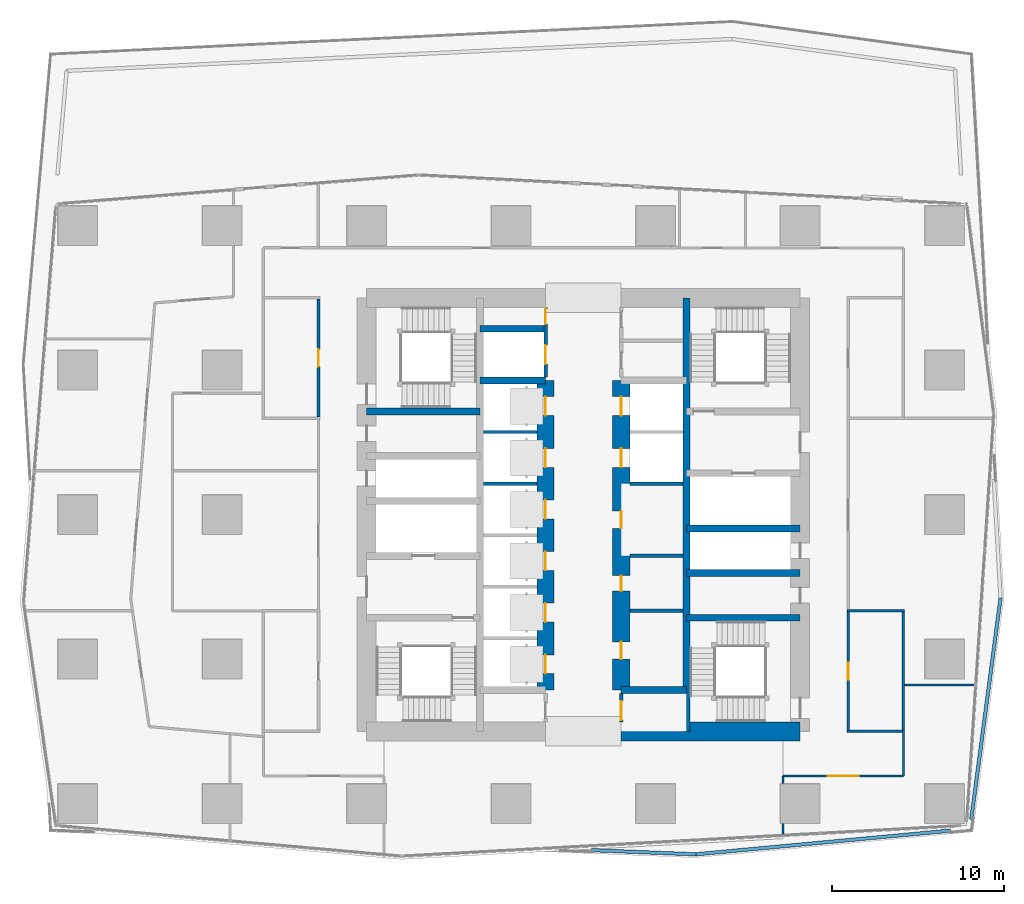
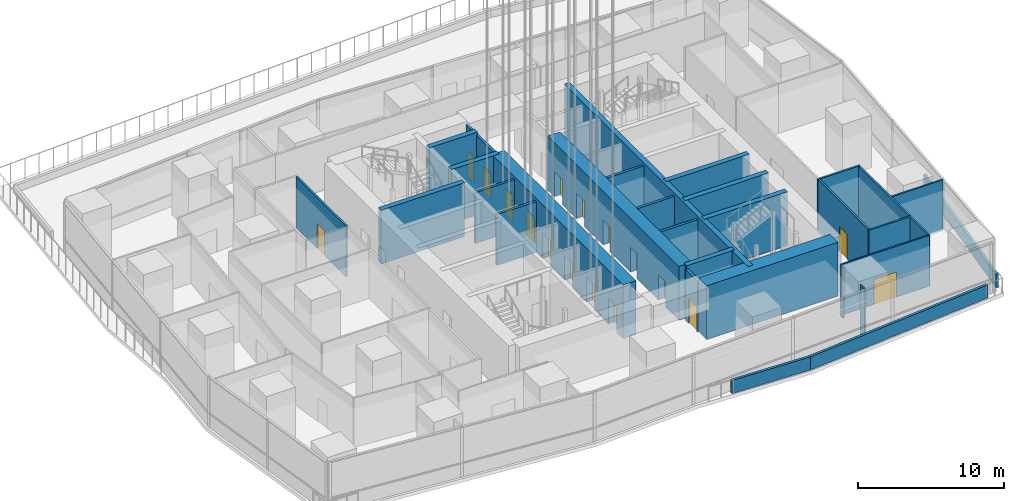
# One storey, part 16 of 39: 31 walls, 17 doors, 17 openings.
"""IFC4 building model written with IfcOpenShell, lengths in metres."""

from ifc_helpers import new_model, si_unit, direction, frame, frame_2d, origin, place, context, subcontext, project, spatial, rectangle, extrude, material, layer, layer_set, type_object, element, fill, save


model = new_model("IFC4")

# Units and contexts
model_context = context("Model", 3, precision=1e-05, world=origin(), true_north=direction((0.0, 1.0)))
body_context = subcontext(model_context, "Body", "Model", "MODEL_VIEW")
ifc_project = project(units=[si_unit("LENGTHUNIT", "METRE"), si_unit("AREAUNIT", "SQUARE_METRE"), si_unit("VOLUMEUNIT", "CUBIC_METRE"), si_unit("PLANEANGLEUNIT", "RADIAN"), si_unit("MASSUNIT", "GRAM", prefix="KILO")], contexts=[model_context])

# Site, building, storey
site_placement = place(None, origin())
site = spatial("IfcSite", under=ifc_project, at=site_placement, CompositionType="ELEMENT")
building_placement = place(site_placement, origin())
building = spatial("IfcBuilding", under=site, at=building_placement, Name="Rekha Terrace Tower", CompositionType="ELEMENT")
storey_placement = place(building_placement, frame((0.0, 0.0, 245.60009765625)))
storey = spatial("IfcBuildingStorey", under=building, at=storey_placement, Name="L62", CompositionType="ELEMENT", Elevation=245.60009765625)

# Walls
ifc_material_1 = material(Name="Concrete M60", Category="concrete")
ifc_layer_1 = layer(ifc_material_1, 0.39990234375)
ifc_layer_set_1 = layer_set([ifc_layer_1], Name="Concrete M60")
wall_type_1 = type_object("IfcWallType", Name="CI4 400 core internal shear wall", PredefinedType="SHEAR", material=ifc_layer_set_1)
wall_1_placement = place(storey_placement, frame((43.800048828125, 21.0, 0.0), z_axis=(0.0, 0.0, 1.0), x_axis=(0.0, 1.0, 0.0)))
element("IfcWall", 1, at=wall_1_placement, inside=storey, type_object=wall_type_1, Name="Core wall X438 L62", PredefinedType="SHEAR", context=body_context, shape_type="SweptSolid", body=[
    extrude(rectangle(XDim=25.199951171875, YDim=0.39990234375, at=frame_2d((12.60009765625, 0.0))), origin(), (0.0, 0.0, 1.0), 4.5),
])
for number, where, z_axis, x_axis, name in (
    (2, (31.800048828125, 41.39990234375, 0.0), (0.0, 0.0, 1.0), (1.0, 0.0, 0.0), "Core wall Y414W L62"),
    (3, (31.800048828125, 44.39990234375, 0.0), (0.0, 0.0, 1.0), (1.0, 0.0, 0.0), "Core wall Y444W L62"),
    (4, (40.0, 23.39990234375, 0.0), (0.0, 0.0, 1.0), (1.0, 0.0, 0.0), "Core wall Y234E L62"),
):
    element("IfcWall", number, at=place(storey_placement, frame(where, z_axis=z_axis, x_axis=x_axis)), inside=storey, type_object=wall_type_1, Name=name, PredefinedType="SHEAR", context=body_context, shape_type="SweptSolid", body=[
        extrude(rectangle(XDim=3.800048828125, YDim=0.39990234375, at=frame_2d((1.89990234375, 0.0))), origin(), (0.0, 0.0, 1.0), 4.5),
    ])
wall_2_placement = place(storey_placement, frame((25.199951171875, 39.60009765625, 0.0), z_axis=(0.0, 0.0, 1.0), x_axis=(1.0, 0.0, 0.0)))
element("IfcWall", 5, at=wall_2_placement, inside=storey, type_object=wall_type_1, Name="Core wall Y396W L62", PredefinedType="SHEAR", context=body_context, shape_type="SweptSolid", body=[
    extrude(rectangle(XDim=6.60009765625, YDim=0.39990234375, at=frame_2d((3.300048828125, 0.0))), origin(), (0.0, 0.0, 1.0), 4.5),
])
for number, where, z_axis, x_axis, name in (
    (6, (43.800048828125, 27.60009765625, 0.0), (0.0, 0.0, 1.0), (1.0, 0.0, 0.0), "Core wall Y276E L62"),
    (7, (43.800048828125, 30.199951171875, 0.0), (0.0, 0.0, 1.0), (1.0, 0.0, 0.0), "Core wall Y302E L62"),
    (8, (43.800048828125, 32.800048828125, 0.0), (0.0, 0.0, 1.0), (1.0, 0.0, 0.0), "Core wall Y328E L62"),
):
    element("IfcWall", number, at=place(storey_placement, frame(where, z_axis=z_axis, x_axis=x_axis)), inside=storey, type_object=wall_type_1, Name=name, PredefinedType="SHEAR", context=body_context, shape_type="SweptSolid", body=[
        extrude(rectangle(XDim=6.599853515625, YDim=0.39990234375, at=frame_2d((3.2998046875, 0.0))), origin(), (0.0, 0.0, 1.0), 4.5),
    ])

# Wall, openings, doors
ifc_layer_2 = layer(ifc_material_1, 1.0)
ifc_layer_set_2 = layer_set([ifc_layer_2], Name="Concrete M60")
wall_type_2 = type_object("IfcWallType", Name="LW4 1000 core lobby wall at an outrigger level", PredefinedType="SHEAR", material=ifc_layer_set_2)
wall_3_placement = place(storey_placement, frame((35.60009765625, 23.39990234375, 0.0), z_axis=(0.0, 0.0, 1.0), x_axis=(0.0, 1.0, 0.0)))
wall_3 = element("IfcWall", 9, at=wall_3_placement, inside=storey, type_object=wall_type_2, Name="Core wall X356 L62", PredefinedType="SHEAR", context=body_context, shape_type="SweptSolid", body=[
    extrude(rectangle(XDim=18.0, YDim=1.0, at=frame_2d((9.0, 0.0))), origin(), (0.0, 0.0, 1.0), 4.5),
])
opening_1_placement = place(wall_3_placement, frame((0.949951171875, 0.0, 0.0)))
opening_1 = element("IfcOpeningElement", 10, at=opening_1_placement, cuts=wall_3, Name="Opening LD1", PredefinedType="OPENING", context=body_context, shape_type="SweptSolid", body=[
    extrude(rectangle(XDim=1.10009765625, YDim=2.10009765625, at=frame_2d((0.550048828125, 1.050048828125))), frame((0.0, 0.510009765625, 0.0), z_axis=(0.0, -1.0, 0.0), x_axis=(1.0, 0.0, 0.0)), (0.0, 0.0, 1.0), 1.02001953125),
])
opening_2_placement = place(wall_3_placement, frame((3.949951171875, 0.0, 0.0)))
opening_2 = element("IfcOpeningElement", 11, at=opening_2_placement, cuts=wall_3, Name="Opening LD1", PredefinedType="OPENING", context=body_context, shape_type="SweptSolid", body=[
    extrude(rectangle(XDim=1.10009765625, YDim=2.10009765625, at=frame_2d((0.550048828125, 1.050048828125))), frame((0.0, 0.510009765625, 0.0), z_axis=(0.0, -1.0, 0.0), x_axis=(1.0, 0.0, 0.0)), (0.0, 0.0, 1.0), 1.02001953125),
])
opening_3_placement = place(wall_3_placement, frame((6.949951171875, 0.0, 0.0)))
opening_3 = element("IfcOpeningElement", 12, at=opening_3_placement, cuts=wall_3, Name="Opening LD1", PredefinedType="OPENING", context=body_context, shape_type="SweptSolid", body=[
    extrude(rectangle(XDim=1.10009765625, YDim=2.10009765625, at=frame_2d((0.550048828125, 1.050048828125))), frame((0.0, 0.510009765625, 0.0), z_axis=(0.0, -1.0, 0.0), x_axis=(1.0, 0.0, 0.0)), (0.0, 0.0, 1.0), 1.02001953125),
])
opening_4_placement = place(wall_3_placement, frame((9.949951171875, 0.0, 0.0)))
opening_4 = element("IfcOpeningElement", 13, at=opening_4_placement, cuts=wall_3, Name="Opening LD1", PredefinedType="OPENING", context=body_context, shape_type="SweptSolid", body=[
    extrude(rectangle(XDim=1.10009765625, YDim=2.10009765625, at=frame_2d((0.550048828125, 1.050048828125))), frame((0.0, 0.510009765625, 0.0), z_axis=(0.0, -1.0, 0.0), x_axis=(1.0, 0.0, 0.0)), (0.0, 0.0, 1.0), 1.02001953125),
])
opening_5_placement = place(wall_3_placement, frame((12.949951171875, 0.0, 0.0)))
opening_5 = element("IfcOpeningElement", 14, at=opening_5_placement, cuts=wall_3, Name="Opening LD1", PredefinedType="OPENING", context=body_context, shape_type="SweptSolid", body=[
    extrude(rectangle(XDim=1.10009765625, YDim=2.10009765625, at=frame_2d((0.550048828125, 1.050048828125))), frame((0.0, 0.510009765625, 0.0), z_axis=(0.0, -1.0, 0.0), x_axis=(1.0, 0.0, 0.0)), (0.0, 0.0, 1.0), 1.02001953125),
])
opening_6_placement = place(wall_3_placement, frame((15.949951171875, 0.0, 0.0)))
opening_6 = element("IfcOpeningElement", 15, at=opening_6_placement, cuts=wall_3, Name="Opening LD1", PredefinedType="OPENING", context=body_context, shape_type="SweptSolid", body=[
    extrude(rectangle(XDim=1.10009765625, YDim=2.10009765625, at=frame_2d((0.550048828125, 1.050048828125))), frame((0.0, 0.510009765625, 0.0), z_axis=(0.0, -1.0, 0.0), x_axis=(1.0, 0.0, 0.0)), (0.0, 0.0, 1.0), 1.02001953125),
])
ifc_material_2 = material(Name="Stainless steel sliding landing door", Category="steel")
door_type_1 = type_object("IfcDoorType", Name="LD1 1100x2100 lift landing door", OperationType="SLIDING_TO_LEFT", PredefinedType="USERDEFINED", material=ifc_material_2)
door_1_placement = place(opening_1_placement, origin())
door_1 = element("IfcDoor", 16, at=door_1_placement, inside=storey, type_object=door_type_1, Name="Lift D1 landing door L62", ObjectType="LIFT LANDING DOOR", OperationType="SLIDING_TO_LEFT", OverallHeight=2.10009765625, OverallWidth=1.10009765625, PredefinedType="USERDEFINED", context=body_context, shape_type="SweptSolid", body=[
    extrude(rectangle(XDim=1.10009765625, YDim=2.10009765625, at=frame_2d((0.550048828125, 1.050048828125))), frame((0.0, 0.02490234375, 0.0), z_axis=(0.0, -1.0, 0.0), x_axis=(1.0, 0.0, 0.0)), (0.0, 0.0, 1.0), 0.050048828125),
])
fill(opening_1, door_1)
door_2_placement = place(opening_2_placement, origin())
door_2 = element("IfcDoor", 17, at=door_2_placement, inside=storey, type_object=door_type_1, Name="Lift D2 landing door L62", ObjectType="LIFT LANDING DOOR", OperationType="SLIDING_TO_LEFT", OverallHeight=2.10009765625, OverallWidth=1.10009765625, PredefinedType="USERDEFINED", context=body_context, shape_type="SweptSolid", body=[
    extrude(rectangle(XDim=1.10009765625, YDim=2.10009765625, at=frame_2d((0.550048828125, 1.050048828125))), frame((0.0, 0.02490234375, 0.0), z_axis=(0.0, -1.0, 0.0), x_axis=(1.0, 0.0, 0.0)), (0.0, 0.0, 1.0), 0.050048828125),
])
fill(opening_2, door_2)
door_3_placement = place(opening_3_placement, origin())
door_3 = element("IfcDoor", 18, at=door_3_placement, inside=storey, type_object=door_type_1, Name="Lift D3 landing door L62", ObjectType="LIFT LANDING DOOR", OperationType="SLIDING_TO_LEFT", OverallHeight=2.10009765625, OverallWidth=1.10009765625, PredefinedType="USERDEFINED", context=body_context, shape_type="SweptSolid", body=[
    extrude(rectangle(XDim=1.10009765625, YDim=2.10009765625, at=frame_2d((0.550048828125, 1.050048828125))), frame((0.0, 0.02490234375, 0.0), z_axis=(0.0, -1.0, 0.0), x_axis=(1.0, 0.0, 0.0)), (0.0, 0.0, 1.0), 0.050048828125),
])
fill(opening_3, door_3)
door_4_placement = place(opening_4_placement, origin())
door_4 = element("IfcDoor", 19, at=door_4_placement, inside=storey, type_object=door_type_1, Name="Lift D4 landing door L62", ObjectType="LIFT LANDING DOOR", OperationType="SLIDING_TO_LEFT", OverallHeight=2.10009765625, OverallWidth=1.10009765625, PredefinedType="USERDEFINED", context=body_context, shape_type="SweptSolid", body=[
    extrude(rectangle(XDim=1.10009765625, YDim=2.10009765625, at=frame_2d((0.550048828125, 1.050048828125))), frame((0.0, 0.02490234375, 0.0), z_axis=(0.0, -1.0, 0.0), x_axis=(1.0, 0.0, 0.0)), (0.0, 0.0, 1.0), 0.050048828125),
])
fill(opening_4, door_4)
door_5_placement = place(opening_5_placement, origin())
door_5 = element("IfcDoor", 20, at=door_5_placement, inside=storey, type_object=door_type_1, Name="Lift D5 landing door L62", ObjectType="LIFT LANDING DOOR", OperationType="SLIDING_TO_LEFT", OverallHeight=2.10009765625, OverallWidth=1.10009765625, PredefinedType="USERDEFINED", context=body_context, shape_type="SweptSolid", body=[
    extrude(rectangle(XDim=1.10009765625, YDim=2.10009765625, at=frame_2d((0.550048828125, 1.050048828125))), frame((0.0, 0.02490234375, 0.0), z_axis=(0.0, -1.0, 0.0), x_axis=(1.0, 0.0, 0.0)), (0.0, 0.0, 1.0), 0.050048828125),
])
fill(opening_5, door_5)
door_6_placement = place(opening_6_placement, origin())
door_6 = element("IfcDoor", 21, at=door_6_placement, inside=storey, type_object=door_type_1, Name="Lift D6 landing door L62", ObjectType="LIFT LANDING DOOR", OperationType="SLIDING_TO_LEFT", OverallHeight=2.10009765625, OverallWidth=1.10009765625, PredefinedType="USERDEFINED", context=body_context, shape_type="SweptSolid", body=[
    extrude(rectangle(XDim=1.10009765625, YDim=2.10009765625, at=frame_2d((0.550048828125, 1.050048828125))), frame((0.0, 0.02490234375, 0.0), z_axis=(0.0, -1.0, 0.0), x_axis=(1.0, 0.0, 0.0)), (0.0, 0.0, 1.0), 0.050048828125),
])
fill(opening_6, door_6)

wall_4_placement = place(storey_placement, frame((40.0, 23.39990234375, 0.0), z_axis=(0.0, 0.0, 1.0), x_axis=(0.0, 1.0, 0.0)))
wall_4 = element("IfcWall", 22, at=wall_4_placement, inside=storey, type_object=wall_type_2, Name="Core wall X400 L62", PredefinedType="SHEAR", context=body_context, shape_type="SweptSolid", body=[
    extrude(rectangle(XDim=18.0, YDim=1.0, at=frame_2d((9.0, 0.0))), origin(), (0.0, 0.0, 1.0), 4.5),
])
opening_7_placement = place(wall_4_placement, frame((1.800048828125, 0.0, 0.0)))
opening_7 = element("IfcOpeningElement", 23, at=opening_7_placement, cuts=wall_4, Name="Opening D3", PredefinedType="OPENING", context=body_context, shape_type="SweptSolid", body=[
    extrude(rectangle(XDim=1.0, YDim=2.10009765625, at=frame_2d((0.5, 1.050048828125))), frame((0.0, 0.510009765625, 0.0), z_axis=(0.0, -1.0, 0.0), x_axis=(1.0, 0.0, 0.0)), (0.0, 0.0, 1.0), 1.02001953125),
])
opening_8_placement = place(wall_4_placement, frame((5.75, 0.0, 0.0)))
opening_8 = element("IfcOpeningElement", 24, at=opening_8_placement, cuts=wall_4, Name="Opening D5", PredefinedType="OPENING", context=body_context, shape_type="SweptSolid", body=[
    extrude(rectangle(XDim=0.89990234375, YDim=2.10009765625, at=frame_2d((0.449951171875, 1.050048828125))), frame((0.0, 0.510009765625, 0.0), z_axis=(0.0, -1.0, 0.0), x_axis=(1.0, 0.0, 0.0)), (0.0, 0.0, 1.0), 1.02001953125),
])
opening_9_placement = place(wall_4_placement, frame((9.39990234375, 0.0, 0.0)))
opening_9 = element("IfcOpeningElement", 25, at=opening_9_placement, cuts=wall_4, Name="Opening D3", PredefinedType="OPENING", context=body_context, shape_type="SweptSolid", body=[
    extrude(rectangle(XDim=1.0, YDim=2.10009765625, at=frame_2d((0.5, 1.050048828125))), frame((0.0, 0.510009765625, 0.0), z_axis=(0.0, -1.0, 0.0), x_axis=(1.0, 0.0, 0.0)), (0.0, 0.0, 1.0), 1.02001953125),
])
opening_10_placement = place(wall_4_placement, frame((12.949951171875, 0.0, 0.0)))
opening_10 = element("IfcOpeningElement", 26, at=opening_10_placement, cuts=wall_4, Name="Opening LD1", PredefinedType="OPENING", context=body_context, shape_type="SweptSolid", body=[
    extrude(rectangle(XDim=1.10009765625, YDim=2.10009765625, at=frame_2d((0.550048828125, 1.050048828125))), frame((0.0, 0.510009765625, 0.0), z_axis=(0.0, -1.0, 0.0), x_axis=(1.0, 0.0, 0.0)), (0.0, 0.0, 1.0), 1.02001953125),
])
opening_11_placement = place(wall_4_placement, frame((15.949951171875, 0.0, 0.0)))
opening_11 = element("IfcOpeningElement", 27, at=opening_11_placement, cuts=wall_4, Name="Opening LD1", PredefinedType="OPENING", context=body_context, shape_type="SweptSolid", body=[
    extrude(rectangle(XDim=1.10009765625, YDim=2.10009765625, at=frame_2d((0.550048828125, 1.050048828125))), frame((0.0, 0.510009765625, 0.0), z_axis=(0.0, -1.0, 0.0), x_axis=(1.0, 0.0, 0.0)), (0.0, 0.0, 1.0), 1.02001953125),
])
ifc_material_3 = material(Name="Laminated timber fire door", Category="wood")
door_type_2 = type_object("IfcDoorType", Name="D3 1000x2100 WC door", OperationType="SINGLE_SWING_LEFT", PredefinedType="DOOR", material=ifc_material_3)
door_7_placement = place(opening_7_placement, origin())
door_7 = element("IfcDoor", 28, at=door_7_placement, inside=storey, type_object=door_type_2, Name="Door staff wc L62", OperationType="SINGLE_SWING_LEFT", OverallHeight=2.10009765625, OverallWidth=1.0, PredefinedType="DOOR", context=body_context, shape_type="SweptSolid", body=[
    extrude(rectangle(XDim=1.0, YDim=2.10009765625, at=frame_2d((0.5, 1.050048828125))), frame((0.0, 0.02490234375, 0.0), z_axis=(0.0, -1.0, 0.0), x_axis=(1.0, 0.0, 0.0)), (0.0, 0.0, 1.0), 0.050048828125),
])
fill(opening_7, door_7)
door_8_placement = place(opening_9_placement, origin())
door_8 = element("IfcDoor", 29, at=door_8_placement, inside=storey, type_object=door_type_2, Name="Door staff wc L62", OperationType="SINGLE_SWING_LEFT", OverallHeight=2.10009765625, OverallWidth=1.0, PredefinedType="DOOR", context=body_context, shape_type="SweptSolid", body=[
    extrude(rectangle(XDim=1.0, YDim=2.10009765625, at=frame_2d((0.5, 1.050048828125))), frame((0.0, 0.02490234375, 0.0), z_axis=(0.0, -1.0, 0.0), x_axis=(1.0, 0.0, 0.0)), (0.0, 0.0, 1.0), 0.050048828125),
])
fill(opening_9, door_8)
ifc_material_4 = material(Name="Steel fire door", Category="steel")
door_type_3 = type_object("IfcDoorType", Name="D5 900x2100 riser access door", OperationType="SINGLE_SWING_LEFT", PredefinedType="DOOR", material=ifc_material_4)
door_9_placement = place(opening_8_placement, origin())
door_9 = element("IfcDoor", 30, at=door_9_placement, inside=storey, type_object=door_type_3, Name="Door records store L62", OperationType="SINGLE_SWING_LEFT", OverallHeight=2.10009765625, OverallWidth=0.89990234375, PredefinedType="DOOR", context=body_context, shape_type="SweptSolid", body=[
    extrude(rectangle(XDim=0.89990234375, YDim=2.10009765625, at=frame_2d((0.449951171875, 1.050048828125))), frame((0.0, 0.02490234375, 0.0), z_axis=(0.0, -1.0, 0.0), x_axis=(1.0, 0.0, 0.0)), (0.0, 0.0, 1.0), 0.050048828125),
])
fill(opening_8, door_9)
door_10_placement = place(opening_10_placement, origin())
door_10 = element("IfcDoor", 31, at=door_10_placement, inside=storey, type_object=door_type_1, Name="Lift SH5 landing door L62", ObjectType="LIFT LANDING DOOR", OperationType="SLIDING_TO_LEFT", OverallHeight=2.10009765625, OverallWidth=1.10009765625, PredefinedType="USERDEFINED", context=body_context, shape_type="SweptSolid", body=[
    extrude(rectangle(XDim=1.10009765625, YDim=2.10009765625, at=frame_2d((0.550048828125, 1.050048828125))), frame((0.0, 0.02490234375, 0.0), z_axis=(0.0, -1.0, 0.0), x_axis=(1.0, 0.0, 0.0)), (0.0, 0.0, 1.0), 0.050048828125),
])
fill(opening_10, door_10)
door_11_placement = place(opening_11_placement, origin())
door_11 = element("IfcDoor", 32, at=door_11_placement, inside=storey, type_object=door_type_1, Name="Lift SH6 landing door L62", ObjectType="LIFT LANDING DOOR", OperationType="SLIDING_TO_LEFT", OverallHeight=2.10009765625, OverallWidth=1.10009765625, PredefinedType="USERDEFINED", context=body_context, shape_type="SweptSolid", body=[
    extrude(rectangle(XDim=1.10009765625, YDim=2.10009765625, at=frame_2d((0.550048828125, 1.050048828125))), frame((0.0, 0.02490234375, 0.0), z_axis=(0.0, -1.0, 0.0), x_axis=(1.0, 0.0, 0.0)), (0.0, 0.0, 1.0), 0.050048828125),
])
fill(opening_11, door_11)

# Walls
ifc_material_5 = material(Name="Concrete M40", Category="concrete")
ifc_layer_3 = layer(ifc_material_5, 0.199951171875)
ifc_layer_set_3 = layer_set([ifc_layer_3], Name="Concrete M40")
wall_type_3 = type_object("IfcWallType", Name="PP1 parapet wall 200", PredefinedType="PARAPET", material=ifc_layer_set_3)
wall_5_placement = place(storey_placement, frame((38.266845703125, 14.092529296875, 0.0), z_axis=(0.0, 0.0, 1.0), x_axis=(0.999204422948, -0.03988133852, 0.0)))
element("IfcWall", 33, at=wall_5_placement, inside=storey, type_object=wall_type_3, Name="Ledge parapet", PredefinedType="PARAPET", context=body_context, shape_type="SweptSolid", body=[
    extrude(rectangle(XDim=6.07275390625, YDim=0.199951171875, at=frame_2d((3.036376953125, 0.0))), origin(), (0.0, 0.0, 1.0), 1.099853515625),
])
wall_6_placement = place(storey_placement, frame((44.334716796875, 13.850341796875, 0.0), z_axis=(0.0, 0.0, 1.0), x_axis=(0.995693191073, 0.092709596322, 0.0)))
element("IfcWall", 34, at=wall_6_placement, inside=storey, type_object=wall_type_3, Name="Ledge parapet", PredefinedType="PARAPET", context=body_context, shape_type="SweptSolid", body=[
    extrude(rectangle(XDim=14.884033203125, YDim=0.199951171875, at=frame_2d((7.44189453125, 0.0))), origin(), (0.0, 0.0, 1.0), 1.099853515625),
])
wall_7_placement = place(storey_placement, frame((60.345703125, 15.885986328125, 0.0), z_axis=(0.0, 0.0, 1.0), x_axis=(0.131310706486, 0.991341262312, 0.0)))
element("IfcWall", 35, at=wall_7_placement, inside=storey, type_object=wall_type_3, Name="Ledge parapet", PredefinedType="PARAPET", context=body_context, shape_type="SweptSolid", body=[
    extrude(rectangle(XDim=12.973876953125, YDim=0.199951171875, at=frame_2d((6.48681640625, 0.0))), origin(), (0.0, 0.0, 1.0), 1.099853515625),
])
ifc_layer_4 = layer(ifc_material_1, 1.10009765625)
ifc_layer_set_4 = layer_set([ifc_layer_4], Name="Concrete M60")
wall_type_4 = type_object("IfcWallType", Name="SW4 1100 core outer shear wall", PredefinedType="SHEAR", material=ifc_layer_set_4)
wall_8_placement = place(storey_placement, frame((40.0, 21.0, 0.0), z_axis=(0.0, 0.0, 1.0), x_axis=(1.0, 0.0, 0.0)))
element("IfcWall", 36, at=wall_8_placement, inside=storey, type_object=wall_type_4, Name="Core wall S2 L62", PredefinedType="SHEAR", context=body_context, shape_type="SweptSolid", body=[
    extrude(rectangle(XDim=10.39990234375, YDim=1.10009765625, at=frame_2d((5.199951171875, 0.0))), origin(), (0.0, 0.0, 1.0), 4.5),
])

# Wall, opening, door
ifc_material_6 = material(Name="Concrete block masonry, 1 hour", Category="masonry")
ifc_layer_5 = layer(ifc_material_6, 0.14990234375)
ifc_layer_set_5 = layer_set([ifc_layer_5], Name="Concrete block masonry, 1 hour")
wall_type_5 = type_object("IfcWallType", Name="WP2 150 tenancy partition", PredefinedType="PARTITIONING", material=ifc_layer_set_5)
wall_9_placement = place(storey_placement, frame((22.39990234375, 39.27490234375, 0.0), z_axis=(0.0, 0.0, 1.0), x_axis=(0.0, 1.0, 0.0)))
wall_9 = element("IfcWall", 37, at=wall_9_placement, inside=storey, type_object=wall_type_5, Name="Women's WC wall L62", PredefinedType="PARTITIONING", context=body_context, shape_type="SweptSolid", body=[
    extrude(rectangle(XDim=6.85009765625, YDim=0.14990234375, at=frame_2d((3.425048828125, 0.0))), origin(), (0.0, 0.0, 1.0), 4.25),
])
opening_12_placement = place(wall_9_placement, frame((2.925048828125, 0.0, 0.0)))
opening_12 = element("IfcOpeningElement", 38, at=opening_12_placement, cuts=wall_9, Name="Opening D3", PredefinedType="OPENING", context=body_context, shape_type="SweptSolid", body=[
    extrude(rectangle(XDim=1.0, YDim=2.10009765625, at=frame_2d((0.5, 1.050048828125))), frame((0.0, 0.0849609375, 0.0), z_axis=(0.0, -1.0, 0.0), x_axis=(1.0, 0.0, 0.0)), (0.0, 0.0, 1.0), 0.169921875),
])
door_12_placement = place(opening_12_placement, origin())
door_12 = element("IfcDoor", 39, at=door_12_placement, inside=storey, type_object=door_type_2, Name="Door women's wc L62", OperationType="SINGLE_SWING_LEFT", OverallHeight=2.10009765625, OverallWidth=1.0, PredefinedType="DOOR", context=body_context, shape_type="SweptSolid", body=[
    extrude(rectangle(XDim=1.0, YDim=2.10009765625, at=frame_2d((0.5, 1.050048828125))), frame((0.0, 0.02490234375, 0.0), z_axis=(0.0, -1.0, 0.0), x_axis=(1.0, 0.0, 0.0)), (0.0, 0.0, 1.0), 0.050048828125),
])
fill(opening_12, door_12)

# Walls
for number, where, z_axis, x_axis, name in (
    (40, (53.125, 21.0, 0.0), (0.0, 0.0, 1.0), (1.0, 0.0, 0.0), "Men's WC wall L62"),
    (41, (53.125, 28.0, 0.0), (0.0, 0.0, 1.0), (1.0, 0.0, 0.0), "Men's WC wall L62"),
):
    element("IfcWall", number, at=place(storey_placement, frame(where, z_axis=z_axis, x_axis=x_axis)), inside=storey, type_object=wall_type_5, Name=name, PredefinedType="PARTITIONING", context=body_context, shape_type="SweptSolid", body=[
        extrude(rectangle(XDim=3.35009765625, YDim=0.14990234375, at=frame_2d((1.675048828125, 0.0))), origin(), (0.0, 0.0, 1.0), 4.25),
    ])

# Wall, opening, door
wall_10_placement = place(storey_placement, frame((53.199951171875, 21.074951171875, 0.0), z_axis=(0.0, 0.0, 1.0), x_axis=(0.0, 1.0, 0.0)))
wall_10 = element("IfcWall", 42, at=wall_10_placement, inside=storey, type_object=wall_type_5, Name="Men's WC wall L62", PredefinedType="PARTITIONING", context=body_context, shape_type="SweptSolid", body=[
    extrude(rectangle(XDim=6.85009765625, YDim=0.14990234375, at=frame_2d((3.425048828125, 0.0))), origin(), (0.0, 0.0, 1.0), 4.25),
])
opening_13_placement = place(wall_10_placement, frame((2.925048828125, 0.0, 0.0)))
opening_13 = element("IfcOpeningElement", 43, at=opening_13_placement, cuts=wall_10, Name="Opening D3", PredefinedType="OPENING", context=body_context, shape_type="SweptSolid", body=[
    extrude(rectangle(XDim=1.0, YDim=2.10009765625, at=frame_2d((0.5, 1.050048828125))), frame((0.0, 0.0849609375, 0.0), z_axis=(0.0, -1.0, 0.0), x_axis=(1.0, 0.0, 0.0)), (0.0, 0.0, 1.0), 0.169921875),
])
door_13_placement = place(opening_13_placement, origin())
door_13 = element("IfcDoor", 44, at=door_13_placement, inside=storey, type_object=door_type_2, Name="Door men's wc L62", OperationType="SINGLE_SWING_LEFT", OverallHeight=2.10009765625, OverallWidth=1.0, PredefinedType="DOOR", context=body_context, shape_type="SweptSolid", body=[
    extrude(rectangle(XDim=1.0, YDim=2.10009765625, at=frame_2d((0.5, 1.050048828125))), frame((0.0, 0.02490234375, 0.0), z_axis=(0.0, -1.0, 0.0), x_axis=(1.0, 0.0, 0.0)), (0.0, 0.0, 1.0), 0.050048828125),
])
fill(opening_13, door_13)

# Wall
wall_11_placement = place(storey_placement, frame((56.39990234375, 21.074951171875, 0.0), z_axis=(0.0, 0.0, 1.0), x_axis=(0.0, 1.0, 0.0)))
element("IfcWall", 45, at=wall_11_placement, inside=storey, type_object=wall_type_5, Name="Men's WC wall L62", PredefinedType="PARTITIONING", context=body_context, shape_type="SweptSolid", body=[
    extrude(rectangle(XDim=6.85009765625, YDim=0.14990234375, at=frame_2d((3.425048828125, 0.0))), origin(), (0.0, 0.0, 1.0), 4.25),
])

# Wall, opening, door
ifc_material_7 = material(Name="Two layers of fire-rated gypsum board each side on steel studs, acoustic quilt, 1 hour", Category="steel")
ifc_layer_6 = layer(ifc_material_7, 0.125)
ifc_layer_set_6 = layer_set([ifc_layer_6], Name="Two layers of fire-rated gypsum board each side on steel studs, acoustic quilt, 1 hour")
wall_type_6 = type_object("IfcWallType", Name="WP3 125 office partition", PredefinedType="PARTITIONING", material=ifc_layer_set_6)
wall_12_placement = place(storey_placement, frame((49.39990234375, 18.39990234375, 0.0), z_axis=(0.0, 0.0, 1.0), x_axis=(1.0, 0.0, 0.0)))
wall_12 = element("IfcWall", 46, at=wall_12_placement, inside=storey, type_object=wall_type_6, Name="Partition L62-05", PredefinedType="PARTITIONING", context=body_context, shape_type="SweptSolid", body=[
    extrude(rectangle(XDim=7.0, YDim=0.125, at=frame_2d((3.5, 0.0))), origin(), (0.0, 0.0, 1.0), 4.25),
])
opening_14_placement = place(wall_12_placement, frame((2.60009765625, 0.0, 0.0)))
opening_14 = element("IfcOpeningElement", 47, at=opening_14_placement, cuts=wall_12, Name="Opening D8", PredefinedType="OPENING", context=body_context, shape_type="SweptSolid", body=[
    extrude(rectangle(XDim=1.800048828125, YDim=2.10009765625, at=frame_2d((0.89990234375, 1.050048828125))), frame((0.0, 0.072509765625, 0.0), z_axis=(0.0, -1.0, 0.0), x_axis=(1.0, 0.0, 0.0)), (0.0, 0.0, 1.0), 0.14501953125),
])
ifc_material_8 = material(Name="Timber fire door", Category="wood")
door_type_4 = type_object("IfcDoorType", Name="D8 1800x2100 double leaf door", OperationType="DOUBLE_DOOR_SINGLE_SWING", PredefinedType="DOOR", material=ifc_material_8)
door_14_placement = place(opening_14_placement, origin())
door_14 = element("IfcDoor", 48, at=door_14_placement, inside=storey, type_object=door_type_4, Name="Door business lounge L62", OperationType="DOUBLE_DOOR_SINGLE_SWING", OverallHeight=2.10009765625, OverallWidth=1.800048828125, PredefinedType="DOOR", context=body_context, shape_type="SweptSolid", body=[
    extrude(rectangle(XDim=1.800048828125, YDim=2.10009765625, at=frame_2d((0.89990234375, 1.050048828125))), frame((0.0, 0.02490234375, 0.0), z_axis=(0.0, -1.0, 0.0), x_axis=(1.0, 0.0, 0.0)), (0.0, 0.0, 1.0), 0.050048828125),
])
fill(opening_14, door_14)

# Walls
wall_13_placement = place(storey_placement, frame((56.39990234375, 18.39990234375, 0.0), z_axis=(0.0, 0.0, 1.0), x_axis=(0.0, 1.0, 0.0)))
element("IfcWall", 49, at=wall_13_placement, inside=storey, type_object=wall_type_6, Name="Partition L62-05", PredefinedType="PARTITIONING", context=body_context, shape_type="SweptSolid", body=[
    extrude(rectangle(XDim=2.675048828125, YDim=0.125, at=frame_2d((1.33740234375, 0.0))), origin(), (0.0, 0.0, 1.0), 4.25),
])
wall_14_placement = place(storey_placement, frame((56.47509765625, 23.693115234375, 0.0), z_axis=(0.0, 0.0, 1.0), x_axis=(1.0, 0.0, 0.0)))
element("IfcWall", 50, at=wall_14_placement, inside=storey, type_object=wall_type_6, Name="Partition L62-05", PredefinedType="PARTITIONING", context=body_context, shape_type="SweptSolid", body=[
    extrude(rectangle(XDim=4.0478515625, YDim=0.125, at=frame_2d((2.02392578125, 0.0))), origin(), (0.0, 0.0, 1.0), 4.25),
])
wall_15_placement = place(storey_placement, frame((49.39990234375, 15.0390625, 0.0), z_axis=(0.0, 0.0, 1.0), x_axis=(0.0, 1.0, 0.0)))
element("IfcWall", 51, at=wall_15_placement, inside=storey, type_object=wall_type_6, Name="Partition L62-05", PredefinedType="PARTITIONING", context=body_context, shape_type="SweptSolid", body=[
    extrude(rectangle(XDim=0.5908203125, YDim=0.125, at=frame_2d((0.29541015625, 0.0))), origin(), (0.0, 0.0, 1.0), 4.25),
])
wall_16_placement = place(storey_placement, frame((49.39990234375, 17.969970703125, 0.0), z_axis=(0.0, 0.0, 1.0), x_axis=(0.0, 1.0, 0.0)))
element("IfcWall", 52, at=wall_16_placement, inside=storey, type_object=wall_type_6, Name="Partition L62-05", PredefinedType="PARTITIONING", context=body_context, shape_type="SweptSolid", body=[
    extrude(rectangle(XDim=0.429931640625, YDim=0.125, at=frame_2d((0.21484375, 0.0))), origin(), (0.0, 0.0, 1.0), 4.25),
])
ifc_material_9 = material(Name="Solid concrete block masonry, 2 hour", Category="masonry")
ifc_layer_7 = layer(ifc_material_9, 0.199951171875)
ifc_layer_set_7 = layer_set([ifc_layer_7], Name="Solid concrete block masonry, 2 hour")
wall_type_7 = type_object("IfcWallType", Name="WS1 200 stair and shaft enclosure", PredefinedType="PARTITIONING", material=ifc_layer_set_7)
for number, where, z_axis, x_axis, name in (
    (53, (32.0, 35.39990234375, 0.0), (0.0, 0.0, 1.0), (1.0, 0.0, 0.0), "Lift shaft divider L62"),
    (54, (32.0, 38.39990234375, 0.0), (0.0, 0.0, 1.0), (1.0, 0.0, 0.0), "Lift shaft divider L62"),
    (55, (40.5, 35.39990234375, 0.0), (0.0, 0.0, 1.0), (1.0, 0.0, 0.0), "Lift shaft divider L62"),
):
    element("IfcWall", number, at=place(storey_placement, frame(where, z_axis=z_axis, x_axis=x_axis)), inside=storey, type_object=wall_type_7, Name=name, PredefinedType="PARTITIONING", context=body_context, shape_type="SweptSolid", body=[
        extrude(rectangle(XDim=3.10009765625, YDim=0.199951171875, at=frame_2d((1.550048828125, 0.0))), origin(), (0.0, 0.0, 1.0), 4.25),
    ])

# Wall, opening, door
wall_17_placement = place(storey_placement, frame((40.0, 21.550048828125, 0.0), z_axis=(0.0, 0.0, 1.0), x_axis=(0.0, 1.0, 0.0)))
wall_17 = element("IfcWall", 56, at=wall_17_placement, inside=storey, type_object=wall_type_7, Name="Core partition wca L62", PredefinedType="PARTITIONING", context=body_context, shape_type="SweptSolid", body=[
    extrude(rectangle(XDim=1.64990234375, YDim=0.199951171875, at=frame_2d((0.824951171875, 0.0))), origin(), (0.0, 0.0, 1.0), 4.25),
])
opening_15_placement = place(wall_17_placement, frame((0.10009765625, 0.0, 0.0)))
opening_15 = element("IfcOpeningElement", 57, at=opening_15_placement, cuts=wall_17, Name="Opening D4", PredefinedType="OPENING", context=body_context, shape_type="SweptSolid", body=[
    extrude(rectangle(XDim=1.10009765625, YDim=2.10009765625, at=frame_2d((0.550048828125, 1.050048828125))), frame((0.0, 0.10986328125, 0.0), z_axis=(0.0, -1.0, 0.0), x_axis=(1.0, 0.0, 0.0)), (0.0, 0.0, 1.0), 0.219970703125),
])
door_type_5 = type_object("IfcDoorType", Name="D4 1100x2100 accessible WC door", OperationType="SLIDING_TO_LEFT", PredefinedType="DOOR", material=ifc_material_3)
door_15_placement = place(opening_15_placement, origin())
door_15 = element("IfcDoor", 58, at=door_15_placement, inside=storey, type_object=door_type_5, Name="Door wca L62", OperationType="SLIDING_TO_LEFT", OverallHeight=2.10009765625, OverallWidth=1.10009765625, PredefinedType="DOOR", context=body_context, shape_type="SweptSolid", body=[
    extrude(rectangle(XDim=1.10009765625, YDim=2.10009765625, at=frame_2d((0.550048828125, 1.050048828125))), frame((0.0, 0.02490234375, 0.0), z_axis=(0.0, -1.0, 0.0), x_axis=(1.0, 0.0, 0.0)), (0.0, 0.0, 1.0), 0.050048828125),
])
fill(opening_15, door_15)

# Wall, openings, doors
wall_18_placement = place(storey_placement, frame((35.60009765625, 41.60009765625, 0.0), z_axis=(0.0, 0.0, 1.0), x_axis=(0.0, 1.0, 0.0)))
wall_18 = element("IfcWall", 59, at=wall_18_placement, inside=storey, type_object=wall_type_7, Name="Core partition jansv L62", PredefinedType="PARTITIONING", context=body_context, shape_type="SweptSolid", body=[
    extrude(rectangle(XDim=4.0498046875, YDim=0.199951171875, at=frame_2d((2.02490234375, 0.0))), origin(), (0.0, 0.0, 1.0), 4.25),
])
opening_16_placement = place(wall_18_placement, frame((3.074951171875, 0.0, 0.0)))
opening_16 = element("IfcOpeningElement", 60, at=opening_16_placement, cuts=wall_18, Name="Opening D5", PredefinedType="OPENING", context=body_context, shape_type="SweptSolid", body=[
    extrude(rectangle(XDim=0.89990234375, YDim=2.10009765625, at=frame_2d((0.449951171875, 1.050048828125))), frame((0.0, 0.10986328125, 0.0), z_axis=(0.0, -1.0, 0.0), x_axis=(1.0, 0.0, 0.0)), (0.0, 0.0, 1.0), 0.219970703125),
])
opening_17_placement = place(wall_18_placement, frame((0.75, 0.0, 0.0)))
opening_17 = element("IfcOpeningElement", 61, at=opening_17_placement, cuts=wall_18, Name="Opening LD1", PredefinedType="OPENING", context=body_context, shape_type="SweptSolid", body=[
    extrude(rectangle(XDim=1.10009765625, YDim=2.10009765625, at=frame_2d((0.550048828125, 1.050048828125))), frame((0.0, 0.10986328125, 0.0), z_axis=(0.0, -1.0, 0.0), x_axis=(1.0, 0.0, 0.0)), (0.0, 0.0, 1.0), 0.219970703125),
])
door_16_placement = place(opening_16_placement, origin())
door_16 = element("IfcDoor", 62, at=door_16_placement, inside=storey, type_object=door_type_3, Name="Door janitor room L62", OperationType="SINGLE_SWING_LEFT", OverallHeight=2.10009765625, OverallWidth=0.89990234375, PredefinedType="DOOR", context=body_context, shape_type="SweptSolid", body=[
    extrude(rectangle(XDim=0.89990234375, YDim=2.10009765625, at=frame_2d((0.449951171875, 1.050048828125))), frame((0.0, 0.02490234375, 0.0), z_axis=(0.0, -1.0, 0.0), x_axis=(1.0, 0.0, 0.0)), (0.0, 0.0, 1.0), 0.050048828125),
])
fill(opening_16, door_16)
door_17_placement = place(opening_17_placement, origin())
door_17 = element("IfcDoor", 63, at=door_17_placement, inside=storey, type_object=door_type_1, Name="Lift SV1 landing door L62", ObjectType="LIFT LANDING DOOR", OperationType="SLIDING_TO_LEFT", OverallHeight=2.10009765625, OverallWidth=1.10009765625, PredefinedType="USERDEFINED", context=body_context, shape_type="SweptSolid", body=[
    extrude(rectangle(XDim=1.10009765625, YDim=2.10009765625, at=frame_2d((0.550048828125, 1.050048828125))), frame((0.0, 0.02490234375, 0.0), z_axis=(0.0, -1.0, 0.0), x_axis=(1.0, 0.0, 0.0)), (0.0, 0.0, 1.0), 0.050048828125),
])
fill(opening_17, door_17)

# Walls
for number, where, z_axis, x_axis, name in (
    (64, (40.5, 28.0, 0.0), (0.0, 0.0, 1.0), (1.0, 0.0, 0.0), "Core partition freed shafts L62"),
    (65, (40.5, 31.199951171875, 0.0), (0.0, 0.0, 1.0), (1.0, 0.0, 0.0), "Core partition freed shafts L62"),
):
    element("IfcWall", number, at=place(storey_placement, frame(where, z_axis=z_axis, x_axis=x_axis)), inside=storey, type_object=wall_type_7, Name=name, PredefinedType="PARTITIONING", context=body_context, shape_type="SweptSolid", body=[
        extrude(rectangle(XDim=3.10009765625, YDim=0.199951171875, at=frame_2d((1.550048828125, 0.0))), origin(), (0.0, 0.0, 1.0), 4.25),
    ])

save(model, "model.ifc")
